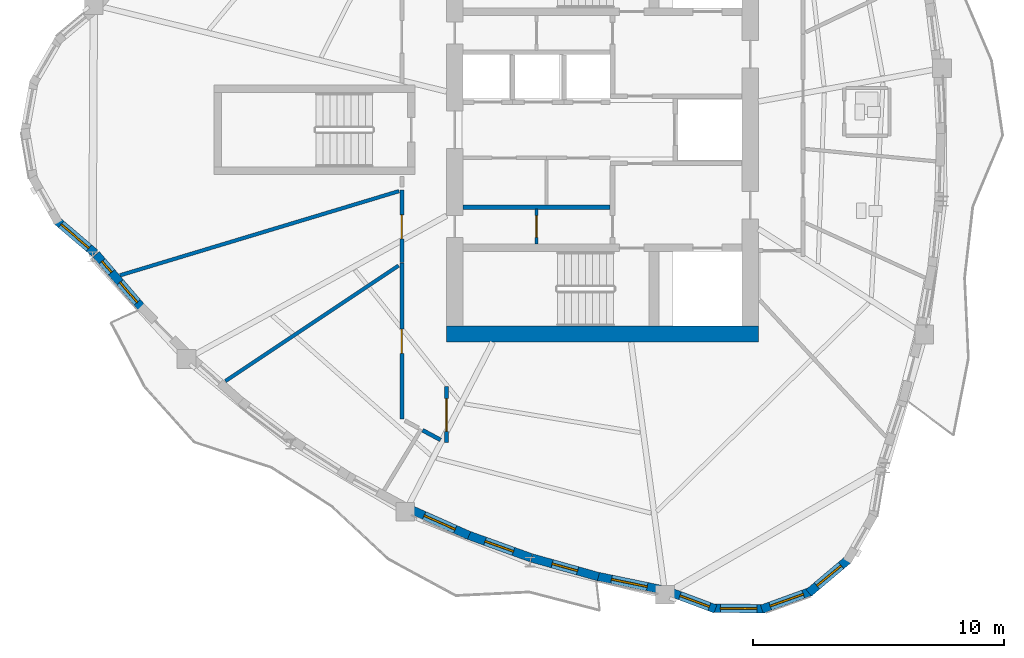
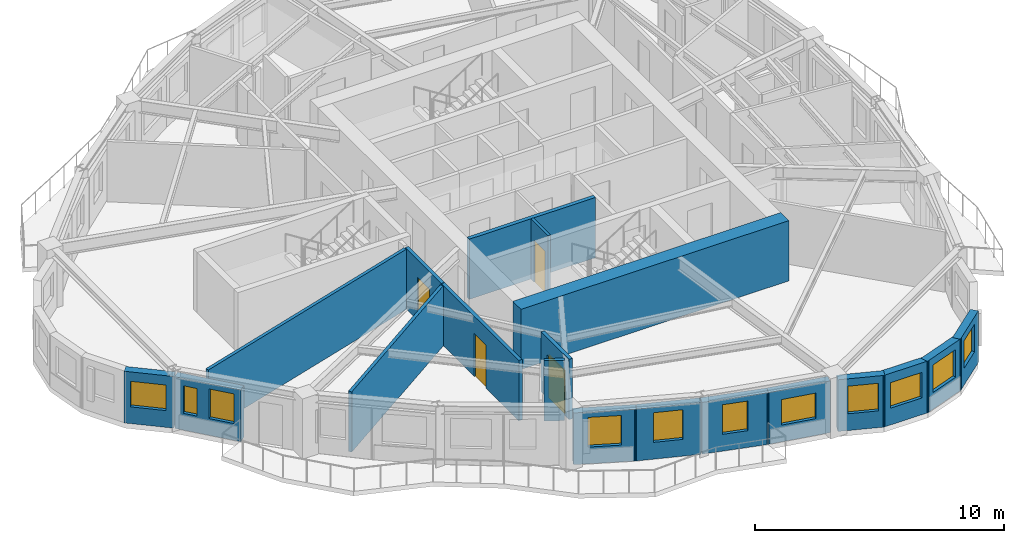
# One storey, part 3 of 12: 19 walls, 11 windows, 4 doors, 15 openings.
"""IFC4 building model written with IfcOpenShell, lengths in metres."""

from ifc_helpers import new_model, si_unit, direction, frame, frame_2d, origin, place, context, subcontext, project, spatial, rectangle, extrude, source, transform, mapped, material, layer, layer_set, type_object, element, fill, save


model = new_model("IFC4")

# Units and contexts
model_context = context("Model", 3, precision=1e-05, world=origin(), true_north=direction((0.0, 1.0)))
body_context = subcontext(model_context, "Body", "Model", "MODEL_VIEW")
ifc_project = project(units=[si_unit("LENGTHUNIT", "METRE"), si_unit("AREAUNIT", "SQUARE_METRE"), si_unit("VOLUMEUNIT", "CUBIC_METRE"), si_unit("PLANEANGLEUNIT", "RADIAN"), si_unit("MASSUNIT", "GRAM", prefix="KILO")], contexts=[model_context])

# Site, building, storey
site_placement = place(None, origin())
site = spatial("IfcSite", under=ifc_project, at=site_placement, CompositionType="ELEMENT")
building_placement = place(site_placement, origin())
building = spatial("IfcBuilding", under=site, at=building_placement, Name="Qafzar Sky-Pleat Residences", CompositionType="ELEMENT")
storey_placement = place(building_placement, frame((0.0, 0.0, 145.800048828125)))
storey = spatial("IfcBuildingStorey", under=building, at=storey_placement, Name="L43", CompositionType="ELEMENT", Elevation=145.800048828125)

# Wall, opening, door
ifc_material_1 = material(Name="Acoustic gypsum plasterboard partition", Category="gypsum")
ifc_layer_1 = layer(ifc_material_1, 0.159912109375)
ifc_layer_set_1 = layer_set([ifc_layer_1], Name="Acoustic gypsum plasterboard partition")
wall_type_1 = type_object("IfcWallType", Name="PART-COR-160", PredefinedType="PARTITIONING", material=ifc_layer_set_1)
wall_1_placement = place(storey_placement, frame((22.3701171875, 14.49609375, 0.0), z_axis=(0.0, 0.0, 1.0), x_axis=(0.0, 1.0, 0.0)))
wall_1 = element("IfcWall", 1, at=wall_1_placement, inside=storey, type_object=wall_type_1, Name="L43 Partition Wall PART-L43-PW-001", PredefinedType="PARTITIONING", context=body_context, shape_type="SweptSolid", body=[
    extrude(rectangle(XDim=6.202880859375, YDim=0.159912109375, at=frame_2d((3.1015625, 0.0))), origin(), (0.0, 0.0, 1.0), 2.949951171875),
])
opening_1_placement = place(wall_1_placement, frame((2.612548828125, 0.0, 0.0)))
opening_1 = element("IfcOpeningElement", 2, at=opening_1_placement, cuts=wall_1, Name="Opening ID-06", PredefinedType="OPENING", context=body_context, shape_type="SweptSolid", body=[
    extrude(rectangle(XDim=0.9599609375, YDim=2.10009765625, at=frame_2d((0.47998046875, 1.050048828125))), frame((0.0, 0.08984375, 0.0), z_axis=(0.0, -1.0, 0.0), x_axis=(1.0, 0.0, 0.0)), (0.0, 0.0, 1.0), 0.179931640625),
])
ifc_material_2 = material(Name="Timber-faced fire door", Category="wood")
door_type_1 = type_object("IfcDoorType", Name="DR-STD-960", OperationType="NOTDEFINED", PredefinedType="DOOR", material=ifc_material_2)
shared_shape_1 = source(origin(), body_context, "Body", "SweptSolid", [
    extrude(rectangle(XDim=0.9599609375, YDim=2.10009765625, at=frame_2d((0.47998046875, 1.050048828125))), frame((0.0, 0.02490234375, 0.0), z_axis=(0.0, -1.0, 0.0), x_axis=(1.0, 0.0, 0.0)), (0.0, 0.0, 1.0), 0.050048828125),
])
door_1_placement = place(opening_1_placement, origin())
door_1 = element("IfcDoor", 3, at=door_1_placement, inside=storey, type_object=door_type_1, Name="L43 Wellness Yoga Studio Door", OperationType="SINGLE_SWING_RIGHT", OverallHeight=2.10009765625, OverallWidth=0.9599609375, PredefinedType="DOOR", context=body_context, shape_type="MappedRepresentation", body=[
    mapped(shared_shape_1, transform((0.0, 0.0, 0.0), x_axis=(1.0, 0.0, 0.0), y_axis=(0.0, 1.0, 0.0), z_axis=(0.0, 0.0, 1.0), scale=1.0)),
])
fill(opening_1, door_1)

wall_2_placement = place(storey_placement, frame((22.3701171875, 20.714111328125, 0.0), z_axis=(0.0, 0.0, 1.0), x_axis=(0.0, 1.0, 0.0)))
wall_2 = element("IfcWall", 4, at=wall_2_placement, inside=storey, type_object=wall_type_1, Name="L43 Partition Wall PART-L43-PW-008", PredefinedType="PARTITIONING", context=body_context, shape_type="SweptSolid", body=[
    extrude(rectangle(XDim=2.893798828125, YDim=0.159912109375, at=frame_2d((1.44677734375, 0.0))), origin(), (0.0, 0.0, 1.0), 2.949951171875),
])
opening_2_placement = place(wall_2_placement, frame((0.9423828125, 0.0, 0.0)))
opening_2 = element("IfcOpeningElement", 5, at=opening_2_placement, cuts=wall_2, Name="Opening ID-06", PredefinedType="OPENING", context=body_context, shape_type="SweptSolid", body=[
    extrude(rectangle(XDim=0.9599609375, YDim=2.10009765625, at=frame_2d((0.47998046875, 1.050048828125))), frame((0.0, 0.08984375, 0.0), z_axis=(0.0, -1.0, 0.0), x_axis=(1.0, 0.0, 0.0)), (0.0, 0.0, 1.0), 0.179931640625),
])
door_2_placement = place(opening_2_placement, origin())
door_2 = element("IfcDoor", 6, at=door_2_placement, inside=storey, type_object=door_type_1, Name="L43 Faculty Research Office Door", OperationType="SINGLE_SWING_LEFT", OverallHeight=2.10009765625, OverallWidth=0.9599609375, PredefinedType="DOOR", context=body_context, shape_type="MappedRepresentation", body=[
    mapped(shared_shape_1, transform((0.0, 0.0, 0.0), x_axis=(1.0, 0.0, 0.0), y_axis=(0.0, 1.0, 0.0), z_axis=(0.0, 0.0, 1.0), scale=1.0)),
])
fill(opening_2, door_2)

wall_3_placement = place(storey_placement, frame((24.14990234375, 15.7880859375, 0.0), z_axis=(0.0, 0.0, 1.0), x_axis=(0.0, -1.0, 0.0)))
wall_3 = element("IfcWall", 7, at=wall_3_placement, inside=storey, type_object=wall_type_1, Name="L43 Partition Wall PART-L43-PW-011", PredefinedType="PARTITIONING", context=body_context, shape_type="SweptSolid", body=[
    extrude(rectangle(XDim=2.231201171875, YDim=0.159912109375, at=frame_2d((1.11572265625, 0.0))), origin(), (0.0, 0.0, 1.0), 2.949951171875),
])
opening_3_placement = place(wall_3_placement, frame((0.47998046875, 0.0, 0.0)))
opening_3 = element("IfcOpeningElement", 8, at=opening_3_placement, cuts=wall_3, Name="Opening ID-05", PredefinedType="OPENING", context=body_context, shape_type="SweptSolid", body=[
    extrude(rectangle(XDim=1.300048828125, YDim=2.10009765625, at=frame_2d((0.64990234375, 1.050048828125))), frame((0.0, 0.08984375, 0.0), z_axis=(0.0, -1.0, 0.0), x_axis=(1.0, 0.0, 0.0)), (0.0, 0.0, 1.0), 0.179931640625),
])
door_type_2 = type_object("IfcDoorType", Name="DR-LNG-1300", OperationType="DOUBLE_DOOR_SINGLE_SWING", PredefinedType="DOOR", material=ifc_material_2)
shared_shape_2 = source(origin(), body_context, "Body", "SweptSolid", [
    extrude(rectangle(XDim=1.300048828125, YDim=2.10009765625, at=frame_2d((0.64990234375, 1.050048828125))), frame((0.0, 0.02490234375, 0.0), z_axis=(0.0, -1.0, 0.0), x_axis=(1.0, 0.0, 0.0)), (0.0, 0.0, 1.0), 0.050048828125),
])
door_3_placement = place(opening_3_placement, origin())
door_3 = element("IfcDoor", 9, at=door_3_placement, inside=storey, type_object=door_type_2, Name="L43 Academic Seminar Room Door", OperationType="DOUBLE_DOOR_SINGLE_SWING", OverallHeight=2.10009765625, OverallWidth=1.300048828125, PredefinedType="DOOR", context=body_context, shape_type="MappedRepresentation", body=[
    mapped(shared_shape_2, transform((0.0, 0.0, 0.0), x_axis=(1.0, 0.0, 0.0), y_axis=(0.0, 1.0, 0.0), z_axis=(0.0, 0.0, 1.0), scale=1.0)),
])
fill(opening_3, door_3)

# Walls
wall_4_placement = place(storey_placement, frame((23.1962890625, 14.0498046875, 0.0), z_axis=(0.0, 0.0, 1.0), x_axis=(0.880125284311, -0.474741491673, 0.0)))
element("IfcWall", 10, at=wall_4_placement, inside=storey, type_object=wall_type_1, Name="L43 Partition Wall PART-L43-PW-040", PredefinedType="PARTITIONING", context=body_context, shape_type="SweptSolid", body=[
    extrude(rectangle(XDim=0.816650390625, YDim=0.159912109375, at=frame_2d((0.408203125, 0.0))), origin(), (0.0, 0.0, 1.0), 2.949951171875),
])
ifc_material_3 = material(Name="Concrete blockwork partition", Category="masonry")
ifc_layer_2 = layer(ifc_material_3, 0.179931640625)
ifc_layer_set_2 = layer_set([ifc_layer_2], Name="Concrete blockwork partition")
wall_type_2 = type_object("IfcWallType", Name="PART-SHAFT-180", PredefinedType="PARTITIONING", material=ifc_layer_set_2)
wall_5_placement = place(storey_placement, frame((24.81005859375, 22.919921875, 0.0), z_axis=(0.0, 0.0, 1.0), x_axis=(1.0, 0.0, 0.0)))
element("IfcWall", 11, at=wall_5_placement, inside=storey, type_object=wall_type_2, Name="L43 Partition Wall PART-L43-P13-S", PredefinedType="PARTITIONING", context=body_context, shape_type="SweptSolid", body=[
    extrude(rectangle(XDim=5.83984375, YDim=0.179931640625, at=frame_2d((2.919921875, 0.0))), origin(), (0.0, 0.0, 1.0), 2.949951171875),
])

# Wall, opening, door
ifc_material_4 = material(Name="Gypsum plasterboard partition", Category="gypsum")
ifc_layer_3 = layer(ifc_material_4, 0.114990234375)
ifc_layer_set_3 = layer_set([ifc_layer_3], Name="Gypsum plasterboard partition")
wall_type_3 = type_object("IfcWallType", Name="PART-SVC-115", PredefinedType="PARTITIONING", material=ifc_layer_set_3)
wall_6_placement = place(storey_placement, frame((27.72509765625, 21.4599609375, 0.0), z_axis=(0.0, 0.0, 1.0), x_axis=(0.0, 1.0, 0.0)))
wall_6 = element("IfcWall", 12, at=wall_6_placement, inside=storey, type_object=wall_type_3, Name="L43 Partition Wall PART-L43-KB-SW", PredefinedType="PARTITIONING", context=body_context, shape_type="SweptSolid", body=[
    extrude(rectangle(XDim=1.380126953125, YDim=0.114990234375, at=frame_2d((0.68994140625, 0.0))), origin(), (0.0, 0.0, 1.0), 2.949951171875),
])
opening_4_placement = place(wall_6_placement, frame((0.260009765625, 0.0, 0.0)))
opening_4 = element("IfcOpeningElement", 13, at=opening_4_placement, cuts=wall_6, Name="Opening ID-09", PredefinedType="OPENING", context=body_context, shape_type="SweptSolid", body=[
    extrude(rectangle(XDim=0.860107421875, YDim=2.050048828125, at=frame_2d((0.43017578125, 1.02490234375))), frame((0.0, 0.0673828125, 0.0), z_axis=(0.0, -1.0, 0.0), x_axis=(1.0, 0.0, 0.0)), (0.0, 0.0, 1.0), 0.135009765625),
])
door_type_3 = type_object("IfcDoorType", Name="DR-SVC-860", OperationType="NOTDEFINED", PredefinedType="DOOR", material=ifc_material_2)
shared_shape_3 = source(origin(), body_context, "Body", "SweptSolid", [
    extrude(rectangle(XDim=0.860107421875, YDim=2.050048828125, at=frame_2d((0.43017578125, 1.02490234375))), frame((0.0, 0.02490234375, 0.0), z_axis=(0.0, -1.0, 0.0), x_axis=(1.0, 0.0, 0.0)), (0.0, 0.0, 1.0), 0.050048828125),
])
door_4_placement = place(opening_4_placement, origin())
door_4 = element("IfcDoor", 14, at=door_4_placement, inside=storey, type_object=door_type_3, Name="L43 BMS Metering Cupboard Door", OperationType="SINGLE_SWING_RIGHT", OverallHeight=2.050048828125, OverallWidth=0.860107421875, PredefinedType="DOOR", context=body_context, shape_type="MappedRepresentation", body=[
    mapped(shared_shape_3, transform((0.0, 0.0, 0.0), x_axis=(1.0, 0.0, 0.0), y_axis=(0.0, 1.0, 0.0), z_axis=(0.0, 0.0, 1.0), scale=1.0)),
])
fill(opening_4, door_4)

# Walls
ifc_layer_4 = layer(ifc_material_1, 0.14501953125)
ifc_layer_set_4 = layer_set([ifc_layer_4], Name="Acoustic gypsum plasterboard partition")
wall_type_4 = type_object("IfcWallType", Name="PART-UNIT-145", PredefinedType="PARTITIONING", material=ifc_layer_set_4)
wall_7_placement = place(storey_placement, frame((11.165283203125, 20.210693359375, 0.0), z_axis=(0.0, 0.0, 1.0), x_axis=(0.957361241888, 0.288893496865, 0.0)))
element("IfcWall", 15, at=wall_7_placement, inside=storey, type_object=wall_type_4, Name="L43 Partition Wall PART-L43-PW-015", PredefinedType="PARTITIONING", context=body_context, shape_type="SweptSolid", body=[
    extrude(rectangle(XDim=11.59033203125, YDim=0.14501953125, at=frame_2d((5.795166015625, 0.0))), origin(), (0.0, 0.0, 1.0), 2.949951171875),
])
wall_8_placement = place(storey_placement, frame((15.355224609375, 16.0048828125, 0.0), z_axis=(0.0, 0.0, 1.0), x_axis=(0.83207298021, 0.55466616591, 0.0)))
element("IfcWall", 16, at=wall_8_placement, inside=storey, type_object=wall_type_4, Name="L43 Partition Wall PART-L43-PW-017", PredefinedType="PARTITIONING", context=body_context, shape_type="SweptSolid", body=[
    extrude(rectangle(XDim=8.278076171875, YDim=0.14501953125, at=frame_2d((4.13916015625, 0.0))), origin(), (0.0, 0.0, 1.0), 2.949951171875),
])

# Wall, opening, window
ifc_material_5 = material(Name="Precast concrete C40/50 with honed Riyadh limestone", Category="concrete")
ifc_layer_5 = layer(ifc_material_5, 0.340087890625)
ifc_layer_set_5 = layer_set([ifc_layer_5], Name="Precast concrete C40/50 with honed Riyadh limestone")
wall_type_5 = type_object("IfcWallType", Name="WALL-EXT-340", PredefinedType="SOLIDWALL", material=ifc_layer_set_5)
wall_9_placement = place(storey_placement, frame((8.62744140625, 22.406005859375, 0.0), z_axis=(0.0, 0.0, 1.0), x_axis=(0.760379886087, -0.649478582276, 0.0)))
wall_9 = element("IfcWall", 17, at=wall_9_placement, inside=storey, type_object=wall_type_5, Name="L43 Limestone Facade Wall 6", PredefinedType="SOLIDWALL", context=body_context, shape_type="SweptSolid", body=[
    extrude(rectangle(XDim=2.023193359375, YDim=0.340087890625, at=frame_2d((1.01171875, 0.0))), origin(), (0.0, 0.0, 1.0), 2.530029296875),
])
opening_5_placement = place(wall_9_placement, frame((0.256591796875, 0.0, 0.820068359375)))
opening_5 = element("IfcOpeningElement", 18, at=opening_5_placement, cuts=wall_9, Name="Opening WN-15", PredefinedType="OPENING", context=body_context, shape_type="SweptSolid", body=[
    extrude(rectangle(XDim=1.449951171875, YDim=1.25, at=frame_2d((0.72509765625, 0.625))), frame((0.0, 0.18017578125, 0.0), z_axis=(0.0, -1.0, 0.0), x_axis=(1.0, 0.0, 0.0)), (0.0, 0.0, 1.0), 0.360107421875),
])
ifc_material_6 = material(Name="Solar-control low-E glass in bronze aluminium frame", Category="glass")
window_type_1 = type_object("IfcWindowType", Name="WIN-15", PartitioningType="SINGLE_PANEL", PredefinedType="WINDOW", material=ifc_material_6)
shared_shape_4 = source(origin(), body_context, "Body", "SweptSolid", [
    extrude(rectangle(XDim=1.449951171875, YDim=1.25, at=frame_2d((0.72509765625, 0.625))), frame((0.0, 0.030029296875, 0.0), z_axis=(0.0, -1.0, 0.0), x_axis=(1.0, 0.0, 0.0)), (0.0, 0.0, 1.0), 0.06005859375),
])
window_1_placement = place(opening_5_placement, origin())
window_1 = element("IfcWindow", 19, at=window_1_placement, inside=storey, type_object=window_type_1, Name="L43 Punched Facade Window 06", OverallHeight=1.25, OverallWidth=1.449951171875, PartitioningType="SINGLE_PANEL", PredefinedType="WINDOW", context=body_context, shape_type="MappedRepresentation", body=[
    mapped(shared_shape_4, transform((0.0, 0.0, 0.0), x_axis=(1.0, 0.0, 0.0), y_axis=(0.0, 1.0, 0.0), z_axis=(0.0, 0.0, 1.0), scale=1.0)),
])
fill(opening_5, window_1)

# Wall, openings, windows
wall_10_placement = place(storey_placement, frame((10.212646484375, 21.045166015625, 0.0), z_axis=(0.0, 0.0, 1.0), x_axis=(0.65036245252, -0.759624038819, 0.0)))
wall_10 = element("IfcWall", 20, at=wall_10_placement, inside=storey, type_object=wall_type_5, Name="L43 Limestone Facade Wall 7", PredefinedType="SOLIDWALL", context=body_context, shape_type="SweptSolid", body=[
    extrude(rectangle(XDim=2.813232421875, YDim=0.340087890625, at=frame_2d((1.40673828125, 0.0))), origin(), (0.0, 0.0, 1.0), 2.530029296875),
])
opening_6_placement = place(wall_10_placement, frame((0.362060546875, 0.0, 0.820068359375)))
opening_6 = element("IfcOpeningElement", 21, at=opening_6_placement, cuts=wall_10, Name="Opening WN-17", PredefinedType="OPENING", context=body_context, shape_type="SweptSolid", body=[
    extrude(rectangle(XDim=0.580078125, YDim=1.35009765625, at=frame_2d((0.2900390625, 0.675048828125))), frame((0.0, 0.18017578125, 0.0), z_axis=(0.0, -1.0, 0.0), x_axis=(1.0, 0.0, 0.0)), (0.0, 0.0, 1.0), 0.360107421875),
])
opening_7_placement = place(wall_10_placement, frame((1.46337890625, 0.0, 0.820068359375)))
opening_7 = element("IfcOpeningElement", 22, at=opening_7_placement, cuts=wall_10, Name="Opening WN-06", PredefinedType="OPENING", context=body_context, shape_type="SweptSolid", body=[
    extrude(rectangle(XDim=1.050048828125, YDim=1.449951171875, at=frame_2d((0.52490234375, 0.72509765625))), frame((0.0, 0.18017578125, 0.0), z_axis=(0.0, -1.0, 0.0), x_axis=(1.0, 0.0, 0.0)), (0.0, 0.0, 1.0), 0.360107421875),
])
window_type_2 = type_object("IfcWindowType", Name="WIN-17", PartitioningType="SINGLE_PANEL", PredefinedType="WINDOW", material=ifc_material_6)
shared_shape_5 = source(origin(), body_context, "Body", "SweptSolid", [
    extrude(rectangle(XDim=0.580078125, YDim=1.35009765625, at=frame_2d((0.2900390625, 0.675048828125))), frame((0.0, 0.030029296875, 0.0), z_axis=(0.0, -1.0, 0.0), x_axis=(1.0, 0.0, 0.0)), (0.0, 0.0, 1.0), 0.06005859375),
])
window_2_placement = place(opening_6_placement, origin())
window_2 = element("IfcWindow", 23, at=window_2_placement, inside=storey, type_object=window_type_2, Name="L43 Punched Facade Window 07", OverallHeight=1.35009765625, OverallWidth=0.580078125, PartitioningType="SINGLE_PANEL", PredefinedType="WINDOW", context=body_context, shape_type="MappedRepresentation", body=[
    mapped(shared_shape_5, transform((0.0, 0.0, 0.0), x_axis=(1.0, 0.0, 0.0), y_axis=(0.0, 1.0, 0.0), z_axis=(0.0, 0.0, 1.0), scale=1.0)),
])
fill(opening_6, window_2)
window_type_3 = type_object("IfcWindowType", Name="WIN-06", PartitioningType="SINGLE_PANEL", PredefinedType="WINDOW", material=ifc_material_6)
shared_shape_6 = source(origin(), body_context, "Body", "SweptSolid", [
    extrude(rectangle(XDim=1.050048828125, YDim=1.449951171875, at=frame_2d((0.52490234375, 0.72509765625))), frame((0.0, 0.030029296875, 0.0), z_axis=(0.0, -1.0, 0.0), x_axis=(1.0, 0.0, 0.0)), (0.0, 0.0, 1.0), 0.06005859375),
])
window_3_placement = place(opening_7_placement, origin())
window_3 = element("IfcWindow", 24, at=window_3_placement, inside=storey, type_object=window_type_3, Name="L43 Punched Facade Window 07-2", OverallHeight=1.449951171875, OverallWidth=1.050048828125, PartitioningType="SINGLE_PANEL", PredefinedType="WINDOW", context=body_context, shape_type="MappedRepresentation", body=[
    mapped(shared_shape_6, transform((0.0, 0.0, 0.0), x_axis=(1.0, 0.0, 0.0), y_axis=(0.0, 1.0, 0.0), z_axis=(0.0, 0.0, 1.0), scale=1.0)),
])
fill(opening_7, window_3)

# Wall, opening, window
wall_11_placement = place(storey_placement, frame((22.72021484375, 10.898681640625, 0.0), z_axis=(0.0, 0.0, 1.0), x_axis=(0.913229052506, -0.407446558041, 0.0)))
wall_11 = element("IfcWall", 25, at=wall_11_placement, inside=storey, type_object=wall_type_5, Name="L43 Limestone Facade Wall 13", PredefinedType="SOLIDWALL", context=body_context, shape_type="SweptSolid", body=[
    extrude(rectangle(XDim=2.544677734375, YDim=0.340087890625, at=frame_2d((1.2724609375, 0.0))), origin(), (0.0, 0.0, 1.0), 2.530029296875),
])
opening_8_placement = place(wall_11_placement, frame((0.59228515625, 0.0, 0.820068359375)))
opening_8 = element("IfcOpeningElement", 26, at=opening_8_placement, cuts=wall_11, Name="Opening WN-04", PredefinedType="OPENING", context=body_context, shape_type="SweptSolid", body=[
    extrude(rectangle(XDim=1.35009765625, YDim=1.449951171875, at=frame_2d((0.675048828125, 0.72509765625))), frame((0.0, 0.18017578125, 0.0), z_axis=(0.0, -1.0, 0.0), x_axis=(1.0, 0.0, 0.0)), (0.0, 0.0, 1.0), 0.360107421875),
])
window_type_4 = type_object("IfcWindowType", Name="WIN-04", PartitioningType="SINGLE_PANEL", PredefinedType="WINDOW", material=ifc_material_6)
shared_shape_7 = source(origin(), body_context, "Body", "SweptSolid", [
    extrude(rectangle(XDim=1.35009765625, YDim=1.449951171875, at=frame_2d((0.675048828125, 0.72509765625))), frame((0.0, 0.030029296875, 0.0), z_axis=(0.0, -1.0, 0.0), x_axis=(1.0, 0.0, 0.0)), (0.0, 0.0, 1.0), 0.06005859375),
])
window_4_placement = place(opening_8_placement, origin())
window_4 = element("IfcWindow", 27, at=window_4_placement, inside=storey, type_object=window_type_4, Name="L43 Punched Facade Window 13", OverallHeight=1.449951171875, OverallWidth=1.35009765625, PartitioningType="SINGLE_PANEL", PredefinedType="WINDOW", context=body_context, shape_type="MappedRepresentation", body=[
    mapped(shared_shape_7, transform((0.0, 0.0, 0.0), x_axis=(1.0, 0.0, 0.0), y_axis=(0.0, 1.0, 0.0), z_axis=(0.0, 0.0, 1.0), scale=1.0)),
])
fill(opening_8, window_4)

wall_12_placement = place(storey_placement, frame((24.9619140625, 9.894775390625, 0.0), z_axis=(0.0, 0.0, 1.0), x_axis=(0.940882818042, -0.338732228632, 0.0)))
wall_12 = element("IfcWall", 28, at=wall_12_placement, inside=storey, type_object=wall_type_5, Name="L43 Limestone Facade Wall 14", PredefinedType="SOLIDWALL", context=body_context, shape_type="SweptSolid", body=[
    extrude(rectangle(XDim=2.7099609375, YDim=0.340087890625, at=frame_2d((1.35498046875, 0.0))), origin(), (0.0, 0.0, 1.0), 2.530029296875),
])
opening_9_placement = place(wall_12_placement, frame((0.764892578125, 0.0, 0.820068359375)))
opening_9 = element("IfcOpeningElement", 29, at=opening_9_placement, cuts=wall_12, Name="Opening WN-05", PredefinedType="OPENING", context=body_context, shape_type="SweptSolid", body=[
    extrude(rectangle(XDim=1.199951171875, YDim=1.449951171875, at=frame_2d((0.60009765625, 0.72509765625))), frame((0.0, 0.18017578125, 0.0), z_axis=(0.0, -1.0, 0.0), x_axis=(1.0, 0.0, 0.0)), (0.0, 0.0, 1.0), 0.360107421875),
])
window_type_5 = type_object("IfcWindowType", Name="WIN-05", PartitioningType="SINGLE_PANEL", PredefinedType="WINDOW", material=ifc_material_6)
shared_shape_8 = source(origin(), body_context, "Body", "SweptSolid", [
    extrude(rectangle(XDim=1.199951171875, YDim=1.449951171875, at=frame_2d((0.60009765625, 0.72509765625))), frame((0.0, 0.030029296875, 0.0), z_axis=(0.0, -1.0, 0.0), x_axis=(1.0, 0.0, 0.0)), (0.0, 0.0, 1.0), 0.06005859375),
])
window_5_placement = place(opening_9_placement, origin())
window_5 = element("IfcWindow", 30, at=window_5_placement, inside=storey, type_object=window_type_5, Name="L43 Punched Facade Window 14", OverallHeight=1.449951171875, OverallWidth=1.199951171875, PartitioningType="SINGLE_PANEL", PredefinedType="WINDOW", context=body_context, shape_type="MappedRepresentation", body=[
    mapped(shared_shape_8, transform((0.0, 0.0, 0.0), x_axis=(1.0, 0.0, 0.0), y_axis=(0.0, 1.0, 0.0), z_axis=(0.0, 0.0, 1.0), scale=1.0)),
])
fill(opening_9, window_5)

wall_13_placement = place(storey_placement, frame((27.5380859375, 8.968505859375, 0.0), z_axis=(0.0, 0.0, 1.0), x_axis=(0.962899562324, -0.2698600246, 0.0)))
wall_13 = element("IfcWall", 31, at=wall_13_placement, inside=storey, type_object=wall_type_5, Name="L43 Limestone Facade Wall 15", PredefinedType="SOLIDWALL", context=body_context, shape_type="SweptSolid", body=[
    extrude(rectangle(XDim=2.7548828125, YDim=0.340087890625, at=frame_2d((1.37744140625, 0.0))), origin(), (0.0, 0.0, 1.0), 2.530029296875),
])
opening_10_placement = place(wall_13_placement, frame((0.84228515625, 0.0, 0.820068359375)))
opening_10 = element("IfcOpeningElement", 32, at=opening_10_placement, cuts=wall_13, Name="Opening WN-06", PredefinedType="OPENING", context=body_context, shape_type="SweptSolid", body=[
    extrude(rectangle(XDim=1.050048828125, YDim=1.449951171875, at=frame_2d((0.52490234375, 0.72509765625))), frame((0.0, 0.18017578125, 0.0), z_axis=(0.0, -1.0, 0.0), x_axis=(1.0, 0.0, 0.0)), (0.0, 0.0, 1.0), 0.360107421875),
])
window_6_placement = place(opening_10_placement, origin())
window_6 = element("IfcWindow", 33, at=window_6_placement, inside=storey, type_object=window_type_3, Name="L43 Punched Facade Window 15", OverallHeight=1.449951171875, OverallWidth=1.050048828125, PartitioningType="SINGLE_PANEL", PredefinedType="WINDOW", context=body_context, shape_type="MappedRepresentation", body=[
    mapped(shared_shape_6, transform((0.0, 0.0, 0.0), x_axis=(1.0, 0.0, 0.0), y_axis=(0.0, 1.0, 0.0), z_axis=(0.0, 0.0, 1.0), scale=1.0)),
])
fill(opening_10, window_6)

wall_14_placement = place(storey_placement, frame((30.105224609375, 8.245849609375, 0.0), z_axis=(0.0, 0.0, 1.0), x_axis=(0.979327098925, -0.202283052454, 0.0)))
wall_14 = element("IfcWall", 34, at=wall_14_placement, inside=storey, type_object=wall_type_5, Name="L43 Limestone Facade Wall 16", PredefinedType="SOLIDWALL", context=body_context, shape_type="SweptSolid", body=[
    extrude(rectangle(XDim=2.67822265625, YDim=0.340087890625, at=frame_2d((1.339111328125, 0.0))), origin(), (0.0, 0.0, 1.0), 2.530029296875),
])
opening_11_placement = place(wall_14_placement, frame((0.619140625, 0.0, 0.820068359375)))
opening_11 = element("IfcOpeningElement", 35, at=opening_11_placement, cuts=wall_14, Name="Opening WN-15", PredefinedType="OPENING", context=body_context, shape_type="SweptSolid", body=[
    extrude(rectangle(XDim=1.449951171875, YDim=1.25, at=frame_2d((0.72509765625, 0.625))), frame((0.0, 0.18017578125, 0.0), z_axis=(0.0, -1.0, 0.0), x_axis=(1.0, 0.0, 0.0)), (0.0, 0.0, 1.0), 0.360107421875),
])
window_7_placement = place(opening_11_placement, origin())
window_7 = element("IfcWindow", 36, at=window_7_placement, inside=storey, type_object=window_type_1, Name="L43 Punched Facade Window 16", OverallHeight=1.25, OverallWidth=1.449951171875, PartitioningType="SINGLE_PANEL", PredefinedType="WINDOW", context=body_context, shape_type="MappedRepresentation", body=[
    mapped(shared_shape_4, transform((0.0, 0.0, 0.0), x_axis=(1.0, 0.0, 0.0), y_axis=(0.0, 1.0, 0.0), z_axis=(0.0, 0.0, 1.0), scale=1.0)),
])
fill(opening_11, window_7)

wall_15_placement = place(storey_placement, frame((33.050048828125, 7.611328125, 0.0), z_axis=(0.0, 0.0, 1.0), x_axis=(0.936898854489, -0.349600538411, 0.0)))
wall_15 = element("IfcWall", 37, at=wall_15_placement, inside=storey, type_object=wall_type_5, Name="L43 Limestone Facade Wall 17", PredefinedType="SOLIDWALL", context=body_context, shape_type="SweptSolid", body=[
    extrude(rectangle(XDim=1.91552734375, YDim=0.340087890625, at=frame_2d((0.957763671875, 0.0))), origin(), (0.0, 0.0, 1.0), 2.530029296875),
])
opening_12_placement = place(wall_15_placement, frame((0.40771484375, 0.0, 0.820068359375)))
opening_12 = element("IfcOpeningElement", 38, at=opening_12_placement, cuts=wall_15, Name="Opening WN-11", PredefinedType="OPENING", context=body_context, shape_type="SweptSolid", body=[
    extrude(rectangle(XDim=1.25, YDim=1.35009765625, at=frame_2d((0.625, 0.675048828125))), frame((0.0, 0.18017578125, 0.0), z_axis=(0.0, -1.0, 0.0), x_axis=(1.0, 0.0, 0.0)), (0.0, 0.0, 1.0), 0.360107421875),
])
window_type_6 = type_object("IfcWindowType", Name="WIN-11", PartitioningType="SINGLE_PANEL", PredefinedType="WINDOW", material=ifc_material_6)
shared_shape_9 = source(origin(), body_context, "Body", "SweptSolid", [
    extrude(rectangle(XDim=1.25, YDim=1.35009765625, at=frame_2d((0.625, 0.675048828125))), frame((0.0, 0.030029296875, 0.0), z_axis=(0.0, -1.0, 0.0), x_axis=(1.0, 0.0, 0.0)), (0.0, 0.0, 1.0), 0.06005859375),
])
window_8_placement = place(opening_12_placement, origin())
window_8 = element("IfcWindow", 39, at=window_8_placement, inside=storey, type_object=window_type_6, Name="L43 Punched Facade Window 17", OverallHeight=1.35009765625, OverallWidth=1.25, PartitioningType="SINGLE_PANEL", PredefinedType="WINDOW", context=body_context, shape_type="MappedRepresentation", body=[
    mapped(shared_shape_9, transform((0.0, 0.0, 0.0), x_axis=(1.0, 0.0, 0.0), y_axis=(0.0, 1.0, 0.0), z_axis=(0.0, 0.0, 1.0), scale=1.0)),
])
fill(opening_12, window_8)

wall_16_placement = place(storey_placement, frame((34.712646484375, 6.9658203125, 0.0), z_axis=(0.0, 0.0, 1.0), x_axis=(0.999988733097, -0.004746965157, 0.0)))
wall_16 = element("IfcWall", 40, at=wall_16_placement, inside=storey, type_object=wall_type_5, Name="L43 Limestone Facade Wall 18", PredefinedType="SOLIDWALL", context=body_context, shape_type="SweptSolid", body=[
    extrude(rectangle(XDim=2.108642578125, YDim=0.340087890625, at=frame_2d((1.05419921875, 0.0))), origin(), (0.0, 0.0, 1.0), 2.530029296875),
])
opening_13_placement = place(wall_16_placement, frame((0.329345703125, 0.0, 0.820068359375)))
opening_13 = element("IfcOpeningElement", 41, at=opening_13_placement, cuts=wall_16, Name="Opening WN-15", PredefinedType="OPENING", context=body_context, shape_type="SweptSolid", body=[
    extrude(rectangle(XDim=1.449951171875, YDim=1.25, at=frame_2d((0.72509765625, 0.625))), frame((0.0, 0.18017578125, 0.0), z_axis=(0.0, -1.0, 0.0), x_axis=(1.0, 0.0, 0.0)), (0.0, 0.0, 1.0), 0.360107421875),
])
window_9_placement = place(opening_13_placement, origin())
window_9 = element("IfcWindow", 42, at=window_9_placement, inside=storey, type_object=window_type_1, Name="L43 Punched Facade Window 18", OverallHeight=1.25, OverallWidth=1.449951171875, PartitioningType="SINGLE_PANEL", PredefinedType="WINDOW", context=body_context, shape_type="MappedRepresentation", body=[
    mapped(shared_shape_4, transform((0.0, 0.0, 0.0), x_axis=(1.0, 0.0, 0.0), y_axis=(0.0, 1.0, 0.0), z_axis=(0.0, 0.0, 1.0), scale=1.0)),
])
fill(opening_13, window_9)

wall_17_placement = place(storey_placement, frame((36.68896484375, 6.932861328125, 0.0), z_axis=(0.0, 0.0, 1.0), x_axis=(0.94022877886, 0.340543453033, 0.0)))
wall_17 = element("IfcWall", 43, at=wall_17_placement, inside=storey, type_object=wall_type_5, Name="L43 Limestone Facade Wall 19", PredefinedType="SOLIDWALL", context=body_context, shape_type="SweptSolid", body=[
    extrude(rectangle(XDim=2.1083984375, YDim=0.340087890625, at=frame_2d((1.05419921875, 0.0))), origin(), (0.0, 0.0, 1.0), 2.530029296875),
])
opening_14_placement = place(wall_17_placement, frame((0.354248046875, 0.0, 0.820068359375)))
opening_14 = element("IfcOpeningElement", 44, at=opening_14_placement, cuts=wall_17, Name="Opening WN-10", PredefinedType="OPENING", context=body_context, shape_type="SweptSolid", body=[
    extrude(rectangle(XDim=1.39990234375, YDim=1.35009765625, at=frame_2d((0.699951171875, 0.675048828125))), frame((0.0, 0.18017578125, 0.0), z_axis=(0.0, -1.0, 0.0), x_axis=(1.0, 0.0, 0.0)), (0.0, 0.0, 1.0), 0.360107421875),
])
window_type_7 = type_object("IfcWindowType", Name="WIN-10", PartitioningType="SINGLE_PANEL", PredefinedType="WINDOW", material=ifc_material_6)
shared_shape_10 = source(origin(), body_context, "Body", "SweptSolid", [
    extrude(rectangle(XDim=1.39990234375, YDim=1.35009765625, at=frame_2d((0.699951171875, 0.675048828125))), frame((0.0, 0.030029296875, 0.0), z_axis=(0.0, -1.0, 0.0), x_axis=(1.0, 0.0, 0.0)), (0.0, 0.0, 1.0), 0.06005859375),
])
window_10_placement = place(opening_14_placement, origin())
window_10 = element("IfcWindow", 45, at=window_10_placement, inside=storey, type_object=window_type_7, Name="L43 Punched Facade Window 19", OverallHeight=1.35009765625, OverallWidth=1.39990234375, PartitioningType="SINGLE_PANEL", PredefinedType="WINDOW", context=body_context, shape_type="MappedRepresentation", body=[
    mapped(shared_shape_10, transform((0.0, 0.0, 0.0), x_axis=(1.0, 0.0, 0.0), y_axis=(0.0, 1.0, 0.0), z_axis=(0.0, 0.0, 1.0), scale=1.0)),
])
fill(opening_14, window_10)

wall_18_placement = place(storey_placement, frame((38.55517578125, 7.58349609375, 0.0), z_axis=(0.0, 0.0, 1.0), x_axis=(0.764956232097, 0.644082264137, 0.0)))
wall_18 = element("IfcWall", 46, at=wall_18_placement, inside=storey, type_object=wall_type_5, Name="L43 Limestone Facade Wall 20", PredefinedType="SOLIDWALL", context=body_context, shape_type="SweptSolid", body=[
    extrude(rectangle(XDim=2.108642578125, YDim=0.340087890625, at=frame_2d((1.05419921875, 0.0))), origin(), (0.0, 0.0, 1.0), 2.530029296875),
])
opening_15_placement = place(wall_18_placement, frame((0.42919921875, 0.0, 0.820068359375)))
opening_15 = element("IfcOpeningElement", 47, at=opening_15_placement, cuts=wall_18, Name="Opening WN-11", PredefinedType="OPENING", context=body_context, shape_type="SweptSolid", body=[
    extrude(rectangle(XDim=1.25, YDim=1.35009765625, at=frame_2d((0.625, 0.675048828125))), frame((0.0, 0.18017578125, 0.0), z_axis=(0.0, -1.0, 0.0), x_axis=(1.0, 0.0, 0.0)), (0.0, 0.0, 1.0), 0.360107421875),
])
window_11_placement = place(opening_15_placement, origin())
window_11 = element("IfcWindow", 48, at=window_11_placement, inside=storey, type_object=window_type_6, Name="L43 Punched Facade Window 20", OverallHeight=1.35009765625, OverallWidth=1.25, PartitioningType="SINGLE_PANEL", PredefinedType="WINDOW", context=body_context, shape_type="MappedRepresentation", body=[
    mapped(shared_shape_9, transform((0.0, 0.0, 0.0), x_axis=(1.0, 0.0, 0.0), y_axis=(0.0, 1.0, 0.0), z_axis=(0.0, 0.0, 1.0), scale=1.0)),
])
fill(opening_15, window_11)

# Wall
ifc_material_7 = material(Name="Concrete C60/75", Category="concrete")
ifc_layer_6 = layer(ifc_material_7, 0.64990234375)
ifc_layer_set_6 = layer_set([ifc_layer_6], Name="Concrete C60/75")
wall_type_6 = type_object("IfcWallType", Name="WALL-SHEAR-650", PredefinedType="SHEAR", material=ifc_layer_set_6)
wall_19_placement = place(storey_placement, frame((24.14990234375, 17.875, 0.0), z_axis=(0.0, 0.0, 1.0), x_axis=(1.0, 0.0, 0.0)))
element("IfcWall", 49, at=wall_19_placement, inside=storey, type_object=wall_type_6, Name="L43 CORE wall S", PredefinedType="SHEAR", context=body_context, shape_type="SweptSolid", body=[
    extrude(rectangle(XDim=12.400146484375, YDim=0.64990234375, at=frame_2d((6.2001953125, 0.0))), origin(), (0.0, 0.0, 1.0), 2.949951171875),
])

save(model, "model.ifc")
